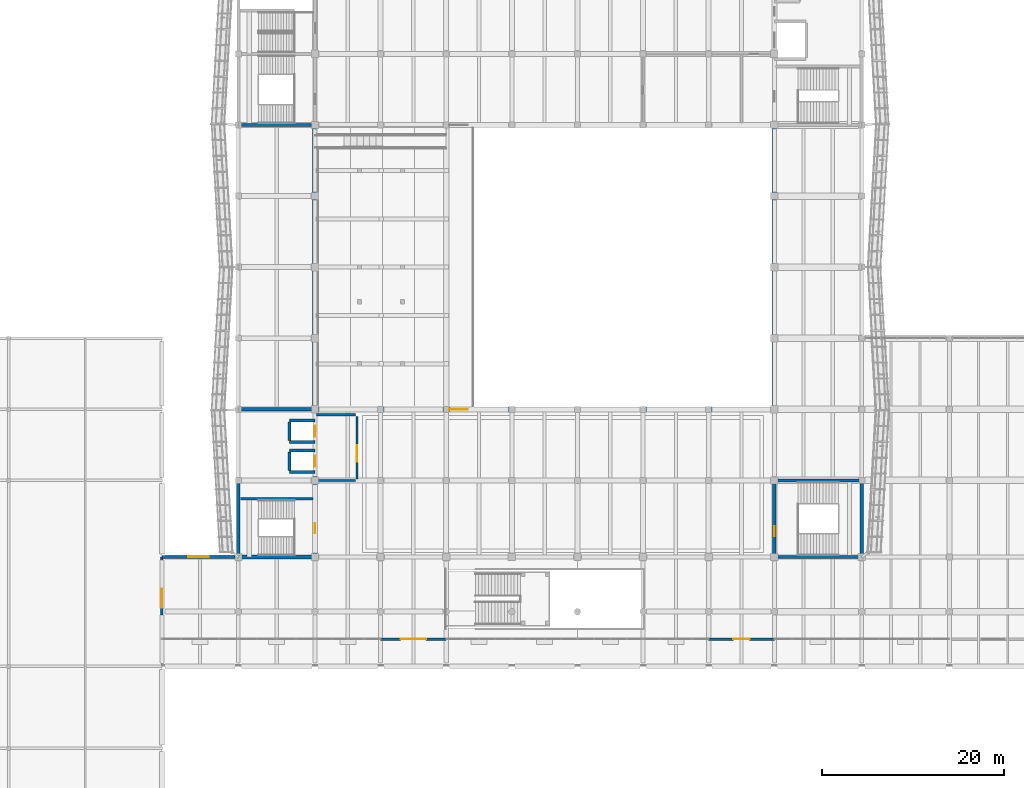
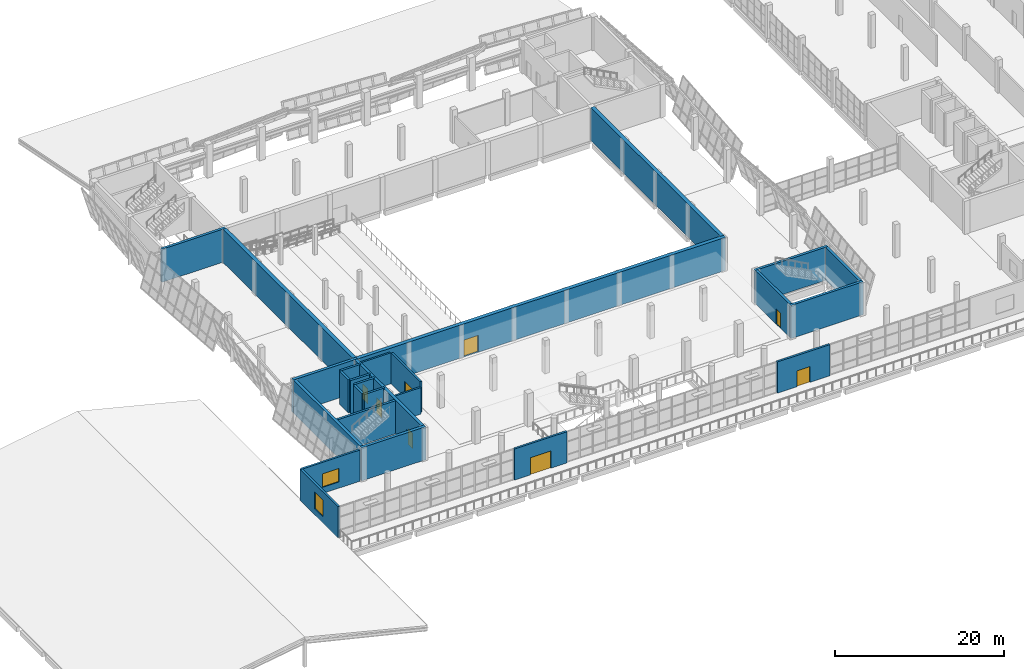
# One storey, part 66 of 79: 26 walls, 8 doors, 2 windows, 10 openings.
"""IFC4 building model written with IfcOpenShell, lengths in metres."""

from ifc_helpers import new_model, si_unit, direction, frame, frame_2d, origin, place, context, subcontext, project, spatial, rectangle, extrude, material, layer, layer_set, type_object, element, fill, save


model = new_model("IFC4")

# Units and contexts
model_context = context("Model", 3, precision=1e-05, world=origin(), true_north=direction((0.0, 1.0)))
body_context = subcontext(model_context, "Body", "Model", "MODEL_VIEW")
ifc_project = project(units=[si_unit("LENGTHUNIT", "METRE"), si_unit("AREAUNIT", "SQUARE_METRE"), si_unit("VOLUMEUNIT", "CUBIC_METRE"), si_unit("PLANEANGLEUNIT", "RADIAN"), si_unit("MASSUNIT", "GRAM", prefix="KILO")], contexts=[model_context])

# Site, building, storey
site_placement = place(None, origin())
site = spatial("IfcSite", under=ifc_project, at=site_placement, CompositionType="ELEMENT")
building_placement = place(site_placement, origin())
building = spatial("IfcBuilding", under=site, at=building_placement, Name="Pellamere Symphony Hall", CompositionType="ELEMENT")
storey_placement = place(building_placement, frame((0.0, 0.0, 10.199951171875)))
storey = spatial("IfcBuildingStorey", under=building, at=storey_placement, Name="L02", CompositionType="ELEMENT", Elevation=10.199951171875)

# Wall, opening, door
ifc_material_1 = material(Name="Architectural Limestone-Clad Insulated Backing Assembly", Category="masonry")
ifc_layer_1 = layer(ifc_material_1, 0.280029296875, Name="Architectural Limestone-Clad Insulated Backing Assembly")
ifc_layer_set_1 = layer_set([ifc_layer_1], Name="Architectural Limestone-Clad Insulated Backing Assembly")
wall_type_1 = type_object("IfcWallType", Name="Exterior Wall EW-03 280mm", PredefinedType="SOLIDWALL", material=ifc_layer_set_1)
wall_1_placement = place(storey_placement, frame((66.0, 21.0, 0.0), z_axis=(0.0, 0.0, 1.0), x_axis=(1.0, 0.0, 0.0)))
wall_1 = element("IfcWall", 1, at=wall_1_placement, inside=storey, type_object=wall_type_1, Name="Exterior Wall EW-03-050 (L02)", PredefinedType="SOLIDWALL", context=body_context, shape_type="SweptSolid", body=[
    extrude(rectangle(XDim=7.199951171875, YDim=0.280029296875, at=frame_2d((3.60009765625, 0.0))), origin(), (0.0, 0.0, 1.0), 4.52001953125),
])
opening_1_placement = place(wall_1_placement, frame((2.199951171875, 0.0, 0.0)))
opening_1 = element("IfcOpeningElement", 2, at=opening_1_placement, cuts=wall_1, Name="Opening TD-01", PredefinedType="OPENING", context=body_context, shape_type="SweptSolid", body=[
    extrude(rectangle(XDim=2.800048828125, YDim=2.5, at=frame_2d((1.39990234375, 1.25))), frame((0.0, 0.14990234375, 0.0), z_axis=(0.0, -1.0, 0.0), x_axis=(1.0, 0.0, 0.0)), (0.0, 0.0, 1.0), 0.300048828125),
])
ifc_material_2 = material(Name="Thermally Broken Bronze-Anodised Aluminium Acoustic Door", Category="aluminium")
door_type_1 = type_object("IfcDoorType", Name="Exterior Door ED-05 2800x2500", OperationType="NOTDEFINED", PredefinedType="DOOR", material=ifc_material_2)
door_1_placement = place(opening_1_placement, frame((2.800048828125, 0.0, 0.0), z_axis=(0.0, 0.0, 1.0), x_axis=(-1.0, 0.0, 0.0)))
door_1 = element("IfcDoor", 3, at=door_1_placement, inside=storey, type_object=door_type_1, Name="Step 1 Plinth Roof Terrace West Door", OperationType="SLIDING_TO_LEFT", OverallHeight=2.5, OverallWidth=2.800048828125, PredefinedType="DOOR", context=body_context, shape_type="SweptSolid", body=[
    extrude(rectangle(XDim=2.800048828125, YDim=2.5, at=frame_2d((1.39990234375, 1.25))), frame((0.0, 0.02490234375, 0.0), z_axis=(0.0, -1.0, 0.0), x_axis=(1.0, 0.0, 0.0)), (0.0, 0.0, 1.0), 0.050048828125),
])
fill(opening_1, door_1)

wall_2_placement = place(storey_placement, frame((102.0, 21.0, 0.0), z_axis=(0.0, 0.0, 1.0), x_axis=(1.0, 0.0, 0.0)))
wall_2 = element("IfcWall", 4, at=wall_2_placement, inside=storey, type_object=wall_type_1, Name="Exterior Wall EW-03-051 (L02)", PredefinedType="SOLIDWALL", context=body_context, shape_type="SweptSolid", body=[
    extrude(rectangle(XDim=7.199951171875, YDim=0.280029296875, at=frame_2d((3.60009765625, 0.0))), origin(), (0.0, 0.0, 1.0), 4.52001953125),
])
opening_2_placement = place(wall_2_placement, frame((2.699951171875, 0.0, 0.0)))
opening_2 = element("IfcOpeningElement", 5, at=opening_2_placement, cuts=wall_2, Name="Opening TD-02", PredefinedType="OPENING", context=body_context, shape_type="SweptSolid", body=[
    extrude(rectangle(XDim=1.800048828125, YDim=2.300048828125, at=frame_2d((0.89990234375, 1.14990234375))), frame((0.0, 0.14990234375, 0.0), z_axis=(0.0, -1.0, 0.0), x_axis=(1.0, 0.0, 0.0)), (0.0, 0.0, 1.0), 0.300048828125),
])
door_type_2 = type_object("IfcDoorType", Name="Exterior Door ED-06 1800x2300", OperationType="NOTDEFINED", PredefinedType="DOOR", material=ifc_material_2)
door_2_placement = place(opening_2_placement, frame((1.800048828125, 0.0, 0.0), z_axis=(0.0, 0.0, 1.0), x_axis=(-1.0, 0.0, 0.0)))
door_2 = element("IfcDoor", 6, at=door_2_placement, inside=storey, type_object=door_type_2, Name="Step 1 Plinth Roof Terrace East Door", OperationType="DOUBLE_DOOR_SINGLE_SWING", OverallHeight=2.300048828125, OverallWidth=1.800048828125, PredefinedType="DOOR", context=body_context, shape_type="SweptSolid", body=[
    extrude(rectangle(XDim=1.800048828125, YDim=2.300048828125, at=frame_2d((0.89990234375, 1.14990234375))), frame((0.0, 0.02490234375, 0.0), z_axis=(0.0, -1.0, 0.0), x_axis=(1.0, 0.0, 0.0)), (0.0, 0.0, 1.0), 0.050048828125),
])
fill(opening_2, door_2)

# Wall, opening, window
wall_3_placement = place(storey_placement, frame((42.0, 21.0, 0.0), z_axis=(0.0, 0.0, 1.0), x_axis=(0.0, 1.0, 0.0)))
wall_3 = element("IfcWall", 7, at=wall_3_placement, inside=storey, type_object=wall_type_1, Name="Exterior Wall EW-03-059 (L02)", PredefinedType="SOLIDWALL", context=body_context, shape_type="SweptSolid", body=[
    extrude(rectangle(XDim=9.0, YDim=0.280029296875, at=frame_2d((4.5, 0.0))), origin(), (0.0, 0.0, 1.0), 4.52001953125),
])
opening_3_placement = place(wall_3_placement, frame((3.5, 0.0, 0.89990234375)))
opening_3 = element("IfcOpeningElement", 8, at=opening_3_placement, cuts=wall_3, Name="Opening W034", PredefinedType="OPENING", context=body_context, shape_type="SweptSolid", body=[
    extrude(rectangle(XDim=2.0, YDim=2.39990234375, at=frame_2d((1.0, 1.199951171875))), frame((0.0, 0.14990234375, 0.0), z_axis=(0.0, -1.0, 0.0), x_axis=(1.0, 0.0, 0.0)), (0.0, 0.0, 1.0), 0.300048828125),
])
ifc_material_3 = material(Name="Thermally Broken Aluminium Triple-Glazed Acoustic Window", Category="aluminium")
window_type_1 = type_object("IfcWindowType", Name="Window WN-12 2000x2400", PartitioningType="DOUBLE_PANEL_VERTICAL", PredefinedType="WINDOW", material=ifc_material_3)
window_1_placement = place(opening_3_placement, origin())
window_1 = element("IfcWindow", 9, at=window_1_placement, inside=storey, type_object=window_type_1, Name="Exterior Window W034 (L02)", OverallHeight=2.39990234375, OverallWidth=2.0, PartitioningType="SINGLE_PANEL", PredefinedType="WINDOW", context=body_context, shape_type="SweptSolid", body=[
    extrude(rectangle(XDim=2.0, YDim=2.39990234375, at=frame_2d((1.0, 1.199951171875))), frame((0.0, 0.030029296875, 0.0), z_axis=(0.0, -1.0, 0.0), x_axis=(1.0, 0.0, 0.0)), (0.0, 0.0, 1.0), 0.06005859375),
])
fill(opening_3, window_1)

wall_4_placement = place(storey_placement, frame((42.0, 30.0, 0.0), z_axis=(0.0, 0.0, 1.0), x_axis=(1.0, 0.0, 0.0)))
wall_4 = element("IfcWall", 10, at=wall_4_placement, inside=storey, type_object=wall_type_1, Name="Exterior Wall EW-03-062 (L02)", PredefinedType="SOLIDWALL", context=body_context, shape_type="SweptSolid", body=[
    extrude(rectangle(XDim=8.0, YDim=0.280029296875, at=frame_2d((4.0, 0.0))), origin(), (0.0, 0.0, 1.0), 4.52001953125),
])
opening_4_placement = place(wall_4_placement, frame((2.875, 0.0, 0.89990234375)))
opening_4 = element("IfcOpeningElement", 11, at=opening_4_placement, cuts=wall_4, Name="Opening W037", PredefinedType="OPENING", context=body_context, shape_type="SweptSolid", body=[
    extrude(rectangle(XDim=2.25, YDim=1.949951171875, at=frame_2d((1.125, 0.97509765625))), frame((0.0, 0.14990234375, 0.0), z_axis=(0.0, -1.0, 0.0), x_axis=(1.0, 0.0, 0.0)), (0.0, 0.0, 1.0), 0.300048828125),
])
window_type_2 = type_object("IfcWindowType", Name="Window WN-17 2250x1950", PartitioningType="DOUBLE_PANEL_VERTICAL", PredefinedType="WINDOW", material=ifc_material_3)
window_2_placement = place(opening_4_placement, origin())
window_2 = element("IfcWindow", 12, at=window_2_placement, inside=storey, type_object=window_type_2, Name="Exterior Window W037 (L02)", OverallHeight=1.949951171875, OverallWidth=2.25, PartitioningType="SINGLE_PANEL", PredefinedType="WINDOW", context=body_context, shape_type="SweptSolid", body=[
    extrude(rectangle(XDim=2.25, YDim=1.949951171875, at=frame_2d((1.125, 0.97509765625))), frame((0.0, 0.030029296875, 0.0), z_axis=(0.0, -1.0, 0.0), x_axis=(1.0, 0.0, 0.0)), (0.0, 0.0, 1.0), 0.06005859375),
])
fill(opening_4, window_2)

# Walls
ifc_material_4 = material(Name="Double-Stud STC-65 Acoustic Drywall Partition", Category="gypsum")
ifc_layer_2 = layer(ifc_material_4, 0.239990234375, Name="Double-Stud STC-65 Acoustic Drywall Partition")
ifc_layer_set_2 = layer_set([ifc_layer_2], Name="Double-Stud STC-65 Acoustic Drywall Partition")
wall_type_2 = type_object("IfcWallType", Name="Interior Partition IW-01 240mm", PredefinedType="PARTITIONING", material=ifc_layer_set_2)
wall_5_placement = place(storey_placement, frame((58.9599609375, 38.39990234375, 0.0), z_axis=(0.0, 0.0, 1.0), x_axis=(1.0, 0.0, 0.0)))
element("IfcWall", 13, at=wall_5_placement, inside=storey, type_object=wall_type_2, Name="Interior Partition IW-01-011 (L02)", PredefinedType="PARTITIONING", context=body_context, shape_type="SweptSolid", body=[
    extrude(rectangle(XDim=4.280029296875, YDim=0.239990234375, at=frame_2d((2.14013671875, 0.0))), origin(), (0.0, 0.0, 1.0), 3.840087890625),
])
wall_6_placement = place(storey_placement, frame((58.9599609375, 45.60009765625, 0.0), z_axis=(0.0, 0.0, 1.0), x_axis=(1.0, 0.0, 0.0)))
element("IfcWall", 14, at=wall_6_placement, inside=storey, type_object=wall_type_2, Name="Interior Partition IW-01-012 (L02)", PredefinedType="PARTITIONING", context=body_context, shape_type="SweptSolid", body=[
    extrude(rectangle(XDim=4.280029296875, YDim=0.239990234375, at=frame_2d((2.14013671875, 0.0))), origin(), (0.0, 0.0, 1.0), 4.489990234375),
])

# Wall, opening, door
wall_7_placement = place(storey_placement, frame((63.39990234375, 38.56005859375, 0.0), z_axis=(0.0, 0.0, 1.0), x_axis=(0.0, 1.0, 0.0)))
wall_7 = element("IfcWall", 15, at=wall_7_placement, inside=storey, type_object=wall_type_2, Name="Interior Partition IW-01-013 (L02)", PredefinedType="PARTITIONING", context=body_context, shape_type="SweptSolid", body=[
    extrude(rectangle(XDim=6.8798828125, YDim=0.239990234375, at=frame_2d((3.43994140625, 0.0))), origin(), (0.0, 0.0, 1.0), 4.489990234375),
])
opening_5_placement = place(wall_7_placement, frame((1.89990234375, 0.0, 0.0)))
opening_5 = element("IfcOpeningElement", 16, at=opening_5_placement, cuts=wall_7, Name="Opening FD-06", PredefinedType="OPENING", context=body_context, shape_type="SweptSolid", body=[
    extrude(rectangle(XDim=1.800048828125, YDim=2.300048828125, at=frame_2d((0.89990234375, 1.14990234375))), frame((0.0, 0.1298828125, 0.0), z_axis=(0.0, -1.0, 0.0), x_axis=(1.0, 0.0, 0.0)), (0.0, 0.0, 1.0), 0.260009765625),
])
ifc_material_5 = material(Name="Fire-Rated Cross-Corridor Double Door", Category="wood")
door_type_3 = type_object("IfcDoorType", Name="Interior Door ID-FD1 1800x2300", OperationType="NOTDEFINED", PredefinedType="DOOR", material=ifc_material_5)
door_3_placement = place(opening_5_placement, origin())
door_3 = element("IfcDoor", 17, at=door_3_placement, inside=storey, type_object=door_type_3, Name="Firefighting Lobby C1 Foyer Entry Door (L02)", OperationType="DOUBLE_DOOR_SINGLE_SWING", OverallHeight=2.300048828125, OverallWidth=1.800048828125, PredefinedType="DOOR", context=body_context, shape_type="SweptSolid", body=[
    extrude(rectangle(XDim=1.800048828125, YDim=2.300048828125, at=frame_2d((0.89990234375, 1.14990234375))), frame((0.0, 0.02490234375, 0.0), z_axis=(0.0, -1.0, 0.0), x_axis=(1.0, 0.0, 0.0)), (0.0, 0.0, 1.0), 0.050048828125),
])
fill(opening_5, door_3)

# Walls
ifc_material_6 = material(Name="Concrete 50 MPa", Category="concrete")
ifc_layer_3 = layer(ifc_material_6, 0.39990234375, Name="Concrete 50 MPa")
ifc_layer_set_3 = layer_set([ifc_layer_3], Name="Concrete 50 MPa")
wall_type_3 = type_object("IfcWallType", Name="Structural Wall SW-02 400mm", PredefinedType="SHEAR", material=ifc_layer_set_3)
for number, where, z_axis, x_axis, name in (
    (18, (50.199951171875, 30.0, 0.0), (0.0, 0.0, 1.0), (1.0, 0.0, 0.0), "Core Shear Wall C1 S (L02)"),
    (19, (50.199951171875, 46.199951171875, 0.0), (0.0, 0.0, 1.0), (1.0, 0.0, 0.0), "Core Shear Wall C1 N (L02)"),
):
    element("IfcWall", number, at=place(storey_placement, frame(where, z_axis=z_axis, x_axis=x_axis)), inside=storey, type_object=wall_type_3, Name=name, PredefinedType="SHEAR", context=body_context, shape_type="SweptSolid", body=[
        extrude(rectangle(XDim=8.800048828125, YDim=0.39990234375, at=frame_2d((4.39990234375, 0.0))), origin(), (0.0, 0.0, 1.0), 4.800048828125),
    ])
wall_8_placement = place(storey_placement, frame((50.39990234375, 30.199951171875, 0.0), z_axis=(0.0, 0.0, 1.0), x_axis=(0.0, 1.0, 0.0)))
element("IfcWall", 20, at=wall_8_placement, inside=storey, type_object=wall_type_3, Name="Core Shear Wall C1 W (L02)", PredefinedType="SHEAR", context=body_context, shape_type="SweptSolid", body=[
    extrude(rectangle(XDim=15.800048828125, YDim=0.39990234375, at=frame_2d((7.89990234375, 0.0))), origin(), (0.0, 0.0, 1.0), 4.800048828125),
])

# Wall, openings, doors
wall_9_placement = place(storey_placement, frame((58.800048828125, 30.199951171875, 0.0), z_axis=(0.0, 0.0, 1.0), x_axis=(0.0, 1.0, 0.0)))
wall_9 = element("IfcWall", 21, at=wall_9_placement, inside=storey, type_object=wall_type_3, Name="Core Shear Wall C1 E (L02)", PredefinedType="SHEAR", context=body_context, shape_type="SweptSolid", body=[
    extrude(rectangle(XDim=15.800048828125, YDim=0.39990234375, at=frame_2d((7.89990234375, 0.0))), origin(), (0.0, 0.0, 1.0), 4.800048828125),
])
opening_6_placement = place(wall_9_placement, frame((9.699951171875, 0.0, 0.0)))
opening_6 = element("IfcOpeningElement", 22, at=opening_6_placement, cuts=wall_9, Name="Opening LD-04", PredefinedType="OPENING", context=body_context, shape_type="SweptSolid", body=[
    extrude(rectangle(XDim=1.199951171875, YDim=2.199951171875, at=frame_2d((0.60009765625, 1.10009765625))), frame((0.0, 0.2099609375, 0.0), z_axis=(0.0, -1.0, 0.0), x_axis=(1.0, 0.0, 0.0)), (0.0, 0.0, 1.0), 0.419921875),
])
opening_7_placement = place(wall_9_placement, frame((13.0, 0.0, 0.0)))
opening_7 = element("IfcOpeningElement", 23, at=opening_7_placement, cuts=wall_9, Name="Opening LD-10", PredefinedType="OPENING", context=body_context, shape_type="SweptSolid", body=[
    extrude(rectangle(XDim=1.199951171875, YDim=2.199951171875, at=frame_2d((0.60009765625, 1.10009765625))), frame((0.0, 0.2099609375, 0.0), z_axis=(0.0, -1.0, 0.0), x_axis=(1.0, 0.0, 0.0)), (0.0, 0.0, 1.0), 0.419921875),
])
opening_8_placement = place(wall_9_placement, frame((2.39990234375, 0.0, 0.0)))
opening_8 = element("IfcOpeningElement", 24, at=opening_8_placement, cuts=wall_9, Name="Opening SD-04", PredefinedType="OPENING", context=body_context, shape_type="SweptSolid", body=[
    extrude(rectangle(XDim=1.10009765625, YDim=2.199951171875, at=frame_2d((0.550048828125, 1.10009765625))), frame((0.0, 0.2099609375, 0.0), z_axis=(0.0, -1.0, 0.0), x_axis=(1.0, 0.0, 0.0)), (0.0, 0.0, 1.0), 0.419921875),
])
ifc_material_7 = material(Name="Stainless Steel AISI 316 Elevator Landing Door", Category="steel")
door_type_4 = type_object("IfcDoorType", Name="Interior Door ID-LD1 1200x2200", OperationType="NOTDEFINED", PredefinedType="DOOR", material=ifc_material_7)
door_4_placement = place(opening_6_placement, origin())
door_4 = element("IfcDoor", 25, at=door_4_placement, inside=storey, type_object=door_type_4, Name="Elevator PL1 Sliding Landing Door (L02)", OperationType="SLIDING_TO_RIGHT", OverallHeight=2.199951171875, OverallWidth=1.199951171875, PredefinedType="DOOR", context=body_context, shape_type="SweptSolid", body=[
    extrude(rectangle(XDim=1.199951171875, YDim=2.199951171875, at=frame_2d((0.60009765625, 1.10009765625))), frame((0.0, 0.02490234375, 0.0), z_axis=(0.0, -1.0, 0.0), x_axis=(1.0, 0.0, 0.0)), (0.0, 0.0, 1.0), 0.050048828125),
])
fill(opening_6, door_4)
door_5_placement = place(opening_7_placement, origin())
door_5 = element("IfcDoor", 26, at=door_5_placement, inside=storey, type_object=door_type_4, Name="Elevator PL2 Sliding Landing Door (L02)", OperationType="SLIDING_TO_RIGHT", OverallHeight=2.199951171875, OverallWidth=1.199951171875, PredefinedType="DOOR", context=body_context, shape_type="SweptSolid", body=[
    extrude(rectangle(XDim=1.199951171875, YDim=2.199951171875, at=frame_2d((0.60009765625, 1.10009765625))), frame((0.0, 0.02490234375, 0.0), z_axis=(0.0, -1.0, 0.0), x_axis=(1.0, 0.0, 0.0)), (0.0, 0.0, 1.0), 0.050048828125),
])
fill(opening_7, door_5)
ifc_material_8 = material(Name="Fire-Rated Steel Exit Stair Door", Category="steel")
door_type_5 = type_object("IfcDoorType", Name="Interior Door ID-SD1 1100x2200", OperationType="NOTDEFINED", PredefinedType="DOOR", material=ifc_material_8)
door_6_placement = place(opening_8_placement, origin())
door_6 = element("IfcDoor", 27, at=door_6_placement, inside=storey, type_object=door_type_5, Name="Core C1 Exit Stair Door (L02)", OperationType="SINGLE_SWING_RIGHT", OverallHeight=2.199951171875, OverallWidth=1.10009765625, PredefinedType="DOOR", context=body_context, shape_type="SweptSolid", body=[
    extrude(rectangle(XDim=1.10009765625, YDim=2.199951171875, at=frame_2d((0.550048828125, 1.10009765625))), frame((0.0, 0.02490234375, 0.0), z_axis=(0.0, -1.0, 0.0), x_axis=(1.0, 0.0, 0.0)), (0.0, 0.0, 1.0), 0.050048828125),
])
fill(opening_8, door_6)

# Walls
ifc_material_9 = material(Name="Concrete 40 MPa", Category="concrete")
ifc_layer_4 = layer(ifc_material_9, 0.35009765625, Name="Concrete 40 MPa")
ifc_layer_set_4 = layer_set([ifc_layer_4], Name="Concrete 40 MPa")
wall_type_4 = type_object("IfcWallType", Name="Structural Wall SW-03 350mm", PredefinedType="SHEAR", material=ifc_layer_set_4)
wall_10_placement = place(storey_placement, frame((50.22509765625, 77.39990234375, 0.0), z_axis=(0.0, 0.0, 1.0), x_axis=(1.0, 0.0, 0.0)))
element("IfcWall", 28, at=wall_10_placement, inside=storey, type_object=wall_type_4, Name="Stair ST07 Enclosure Wall S (L02)", PredefinedType="SHEAR", context=body_context, shape_type="SweptSolid", body=[
    extrude(rectangle(XDim=8.75, YDim=0.35009765625, at=frame_2d((4.375, 0.0))), origin(), (0.0, 0.0, 1.0), 4.800048828125),
])
for number, where, z_axis, x_axis, name in (
    (29, (109.02490234375, 30.0, 0.0), (0.0, 0.0, 1.0), (1.0, 0.0, 0.0), "Stair ST08 Enclosure Wall S (L02)"),
    (30, (109.02490234375, 38.39990234375, 0.0), (0.0, 0.0, 1.0), (1.0, 0.0, 0.0), "Stair ST08 Enclosure Wall N (L02)"),
):
    element("IfcWall", number, at=place(storey_placement, frame(where, z_axis=z_axis, x_axis=x_axis)), inside=storey, type_object=wall_type_4, Name=name, PredefinedType="SHEAR", context=body_context, shape_type="SweptSolid", body=[
        extrude(rectangle(XDim=9.9501953125, YDim=0.35009765625, at=frame_2d((4.97509765625, 0.0))), origin(), (0.0, 0.0, 1.0), 4.800048828125),
    ])

# Wall, opening, door
wall_11_placement = place(storey_placement, frame((109.199951171875, 30.175048828125, 0.0), z_axis=(0.0, 0.0, 1.0), x_axis=(0.0, 1.0, 0.0)))
wall_11 = element("IfcWall", 31, at=wall_11_placement, inside=storey, type_object=wall_type_4, Name="Stair ST08 Enclosure Wall W (L02)", PredefinedType="SHEAR", context=body_context, shape_type="SweptSolid", body=[
    extrude(rectangle(XDim=8.050048828125, YDim=0.35009765625, at=frame_2d((4.02490234375, 0.0))), origin(), (0.0, 0.0, 1.0), 4.800048828125),
])
opening_9_placement = place(wall_11_placement, frame((2.10009765625, 0.0, 0.0)))
opening_9 = element("IfcOpeningElement", 32, at=opening_9_placement, cuts=wall_11, Name="Opening SD-46", PredefinedType="OPENING", context=body_context, shape_type="SweptSolid", body=[
    extrude(rectangle(XDim=1.10009765625, YDim=2.199951171875, at=frame_2d((0.550048828125, 1.10009765625))), frame((0.0, 0.18505859375, 0.0), z_axis=(0.0, -1.0, 0.0), x_axis=(1.0, 0.0, 0.0)), (0.0, 0.0, 1.0), 0.3701171875),
])
door_7_placement = place(opening_9_placement, frame((1.10009765625, 0.0, 0.0), z_axis=(0.0, 0.0, 1.0), x_axis=(-1.0, 0.0, 0.0)))
door_7 = element("IfcDoor", 33, at=door_7_placement, inside=storey, type_object=door_type_5, Name="Exit Stair ST08 Door (L02)", OperationType="SINGLE_SWING_RIGHT", OverallHeight=2.199951171875, OverallWidth=1.10009765625, PredefinedType="DOOR", context=body_context, shape_type="SweptSolid", body=[
    extrude(rectangle(XDim=1.10009765625, YDim=2.199951171875, at=frame_2d((0.550048828125, 1.10009765625))), frame((0.0, 0.02490234375, 0.0), z_axis=(0.0, -1.0, 0.0), x_axis=(1.0, 0.0, 0.0)), (0.0, 0.0, 1.0), 0.050048828125),
])
fill(opening_9, door_7)

# Walls
wall_12_placement = place(storey_placement, frame((118.800048828125, 30.175048828125, 0.0), z_axis=(0.0, 0.0, 1.0), x_axis=(0.0, 1.0, 0.0)))
element("IfcWall", 34, at=wall_12_placement, inside=storey, type_object=wall_type_4, Name="Stair ST08 Enclosure Wall E (L02)", PredefinedType="SHEAR", context=body_context, shape_type="SweptSolid", body=[
    extrude(rectangle(XDim=8.050048828125, YDim=0.35009765625, at=frame_2d((4.02490234375, 0.0))), origin(), (0.0, 0.0, 1.0), 4.800048828125),
])
ifc_layer_5 = layer(ifc_material_9, 0.300048828125, Name="Concrete 40 MPa")
ifc_layer_set_5 = layer_set([ifc_layer_5], Name="Concrete 40 MPa")
wall_type_5 = type_object("IfcWallType", Name="Structural Wall SW-04 300mm", PredefinedType="SHEAR", material=ifc_layer_set_5)
for number, where, z_axis, x_axis, name in (
    (35, (56.0, 39.324951171875, 0.0), (0.0, 0.0, 1.0), (1.0, 0.0, 0.0), "Elevator PL1 Hoistway Wall S (L02)"),
    (36, (56.0, 41.675048828125, 0.0), (0.0, 0.0, 1.0), (1.0, 0.0, 0.0), "Elevator PL1 Hoistway Wall N (L02)"),
):
    element("IfcWall", number, at=place(storey_placement, frame(where, z_axis=z_axis, x_axis=x_axis)), inside=storey, type_object=wall_type_5, Name=name, PredefinedType="SHEAR", context=body_context, shape_type="SweptSolid", body=[
        extrude(rectangle(XDim=2.800048828125, YDim=0.300048828125, at=frame_2d((1.39990234375, 0.0))), origin(), (0.0, 0.0, 1.0), 4.800048828125),
    ])
wall_13_placement = place(storey_placement, frame((56.0, 39.47509765625, 0.0), z_axis=(0.0, 0.0, 1.0), x_axis=(0.0, 1.0, 0.0)))
element("IfcWall", 37, at=wall_13_placement, inside=storey, type_object=wall_type_5, Name="Elevator PL1 Hoistway Wall W (L02)", PredefinedType="SHEAR", context=body_context, shape_type="SweptSolid", body=[
    extrude(rectangle(XDim=2.0498046875, YDim=0.300048828125, at=frame_2d((1.02490234375, 0.0))), origin(), (0.0, 0.0, 1.0), 4.800048828125),
])
for number, where, z_axis, x_axis, name in (
    (38, (56.0, 42.625, 0.0), (0.0, 0.0, 1.0), (1.0, 0.0, 0.0), "Elevator PL2 Hoistway Wall S (L02)"),
    (39, (56.0, 44.97509765625, 0.0), (0.0, 0.0, 1.0), (1.0, 0.0, 0.0), "Elevator PL2 Hoistway Wall N (L02)"),
):
    element("IfcWall", number, at=place(storey_placement, frame(where, z_axis=z_axis, x_axis=x_axis)), inside=storey, type_object=wall_type_5, Name=name, PredefinedType="SHEAR", context=body_context, shape_type="SweptSolid", body=[
        extrude(rectangle(XDim=2.800048828125, YDim=0.300048828125, at=frame_2d((1.39990234375, 0.0))), origin(), (0.0, 0.0, 1.0), 4.800048828125),
    ])
wall_14_placement = place(storey_placement, frame((56.0, 42.77490234375, 0.0), z_axis=(0.0, 0.0, 1.0), x_axis=(0.0, 1.0, 0.0)))
element("IfcWall", 40, at=wall_14_placement, inside=storey, type_object=wall_type_5, Name="Elevator PL2 Hoistway Wall W (L02)", PredefinedType="SHEAR", context=body_context, shape_type="SweptSolid", body=[
    extrude(rectangle(XDim=2.050048828125, YDim=0.300048828125, at=frame_2d((1.02490234375, 0.0))), origin(), (0.0, 0.0, 1.0), 4.800048828125),
])

# Wall, opening, door
ifc_material_10 = material(Name="Architectural warm-pigmented concrete 40 MPa", Category="concrete")
ifc_layer_6 = layer(ifc_material_10, 0.5, Name="Architectural warm-pigmented concrete 40 MPa")
ifc_layer_set_6 = layer_set([ifc_layer_6], Name="Architectural warm-pigmented concrete 40 MPa")
wall_type_6 = type_object("IfcWallType", Name="Structural Wall SW-05 500mm", PredefinedType="SOLIDWALL", material=ifc_layer_set_6)
wall_15_placement = place(storey_placement, frame((58.590087890625, 46.199951171875, 0.0), z_axis=(0.0, 0.0, 1.0), x_axis=(1.0, 0.0, 0.0)))
wall_15 = element("IfcWall", 41, at=wall_15_placement, inside=storey, type_object=wall_type_6, Name="Main Hall Acoustic Box Wall AW1-S (L02)", PredefinedType="SOLIDWALL", context=body_context, shape_type="SweptSolid", body=[
    extrude(rectangle(XDim=50.81982421875, YDim=0.5, at=frame_2d((25.409912109375, 0.0))), origin(), (0.0, 0.0, 1.0), 4.800048828125),
])
opening_10_placement = place(wall_15_placement, frame((14.949951171875, 0.0, 0.0)))
opening_10 = element("IfcOpeningElement", 42, at=opening_10_placement, cuts=wall_15, Name="Opening AD-07", PredefinedType="OPENING", context=body_context, shape_type="SweptSolid", body=[
    extrude(rectangle(XDim=2.0, YDim=2.449951171875, at=frame_2d((1.0, 1.22509765625))), frame((0.0, 0.260009765625, 0.0), z_axis=(0.0, -1.0, 0.0), x_axis=(1.0, 0.0, 0.0)), (0.0, 0.0, 1.0), 0.52001953125),
])
ifc_material_11 = material(Name="STC-55 Solid White Oak Acoustic Hall Entry Door", Category="wood")
door_type_6 = type_object("IfcDoorType", Name="Interior Door ID-AD1 2000x2450", OperationType="NOTDEFINED", PredefinedType="DOOR", material=ifc_material_11)
door_8_placement = place(opening_10_placement, origin())
door_8 = element("IfcDoor", 43, at=door_8_placement, inside=storey, type_object=door_type_6, Name="Main Hall L02 Balcony Acoustic Entry Door S", OperationType="DOUBLE_DOOR_SINGLE_SWING", OverallHeight=2.449951171875, OverallWidth=2.0, PredefinedType="DOOR", context=body_context, shape_type="SweptSolid", body=[
    extrude(rectangle(XDim=2.0, YDim=2.449951171875, at=frame_2d((1.0, 1.22509765625))), frame((0.0, 0.02490234375, 0.0), z_axis=(0.0, -1.0, 0.0), x_axis=(1.0, 0.0, 0.0)), (0.0, 0.0, 1.0), 0.050048828125),
])
fill(opening_10, door_8)

# Walls
for number, where, z_axis, x_axis, name in (
    (44, (58.800048828125, 46.409912109375, 0.0), (0.0, 0.0, 1.0), (0.0, 1.0, 0.0), "Main Hall Acoustic Box Wall AW1-W (L02)"),
    (45, (109.199951171875, 46.409912109375, 0.0), (0.0, 0.0, 1.0), (0.0, 1.0, 0.0), "Main Hall Acoustic Box Wall AW1-E (L02)"),
):
    element("IfcWall", number, at=place(storey_placement, frame(where, z_axis=z_axis, x_axis=x_axis)), inside=storey, type_object=wall_type_6, Name=name, PredefinedType="SOLIDWALL", context=body_context, shape_type="SweptSolid", body=[
        extrude(rectangle(XDim=30.780029296875, YDim=0.5, at=frame_2d((15.39013671875, 0.0))), origin(), (0.0, 0.0, 1.0), 4.800048828125),
    ])
ifc_layer_7 = layer(ifc_material_9, 0.31005859375, Name="Concrete 40 MPa")
ifc_layer_set_7 = layer_set([ifc_layer_7], Name="Concrete 40 MPa")
wall_type_7 = type_object("IfcWallType", Name="Structural Wall SW-08 310mm", PredefinedType="SHEAR", material=ifc_layer_set_7)
wall_16_placement = place(storey_placement, frame((50.6201171875, 36.39990234375, 0.0), z_axis=(0.0, 0.0, 1.0), x_axis=(1.0, 0.0, 0.0)))
element("IfcWall", 46, at=wall_16_placement, inside=storey, type_object=wall_type_7, Name="Core Stair Divider Wall C1 (L02)", PredefinedType="SHEAR", context=body_context, shape_type="SweptSolid", body=[
    extrude(rectangle(XDim=7.9599609375, YDim=0.31005859375, at=frame_2d((3.97998046875, 0.0))), origin(), (0.0, 0.0, 1.0), 4.800048828125),
])

save(model, "model.ifc")
